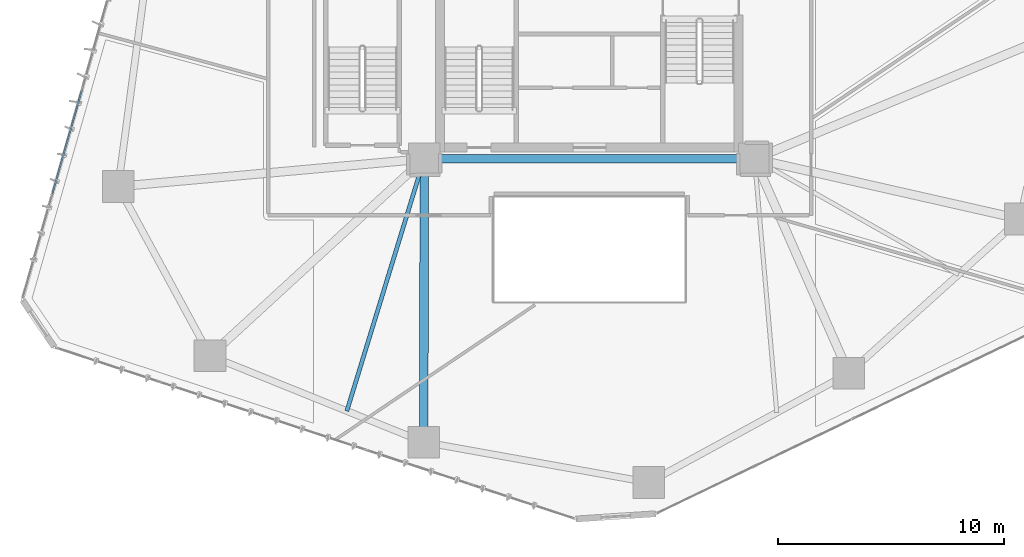
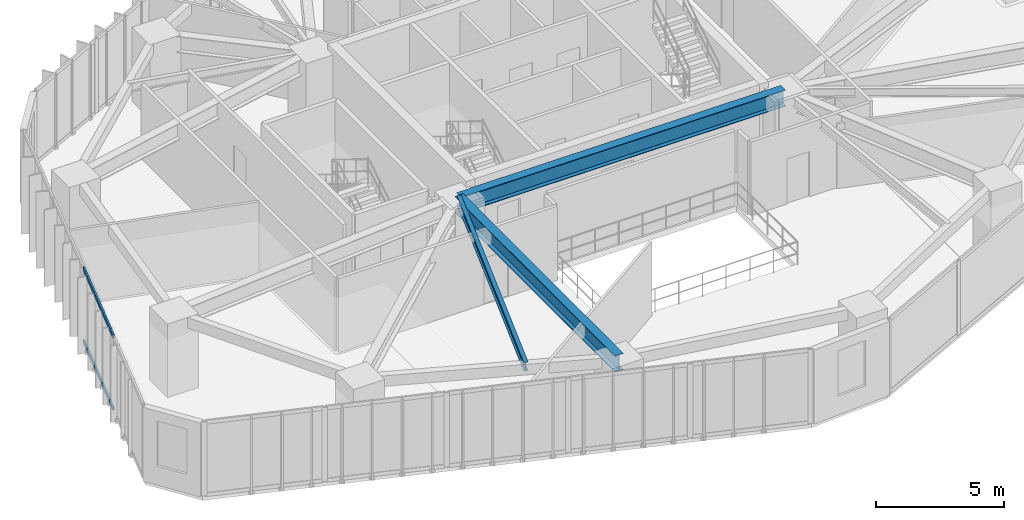
# One storey, part 5 of 23: 3 beams, 2 members, 1 element without a shape of its own.
"""IFC4 building model written with IfcOpenShell, lengths in metres."""

from ifc_helpers import new_model, si_unit, direction, frame, origin, origin_2d, place, context, subcontext, project, spatial, hollow_rectangle, i_section, extrude, source, transform, mapped, material, layer, layer_set, material_profile, profile_set, type_object, type_shapes, element, aggregate, save


model = new_model("IFC4")

# Units and contexts
model_context = context("Model", 3, precision=1e-05, world=origin(), true_north=direction((0.0, 1.0)))
body_context = subcontext(model_context, "Body", "Model", "MODEL_VIEW")
ifc_project = project(units=[si_unit("LENGTHUNIT", "METRE"), si_unit("AREAUNIT", "SQUARE_METRE"), si_unit("VOLUMEUNIT", "CUBIC_METRE"), si_unit("PLANEANGLEUNIT", "RADIAN"), si_unit("MASSUNIT", "GRAM", prefix="KILO")], contexts=[model_context])

# Site, building, storey
site_placement = place(None, origin())
site = spatial("IfcSite", under=ifc_project, at=site_placement, CompositionType="ELEMENT")
building_placement = place(site_placement, origin())
building = spatial("IfcBuilding", under=site, at=building_placement, Name="Talar Marvaseh", CompositionType="ELEMENT")
storey_placement = place(building_placement, frame((0.0, 0.0, 35.39990234375)))
storey = spatial("IfcBuildingStorey", under=building, at=storey_placement, Name="L08", CompositionType="ELEMENT", Elevation=35.39990234375)

# Beams
ifc_material_1 = material(Name="Steel S355", Category="steel")
ifc_material_profile_1 = material_profile(ifc_material_1, i_section(OverallWidth=0.381103515625, OverallDepth=0.77294921875, WebThickness=0.0166015625, FlangeThickness=0.027099609375, at=origin_2d()), Name="W760x257")
ifc_profile_set_1 = profile_set([ifc_material_profile_1], Name="Steel S355")
beam_type_1 = type_object("IfcBeamType", Name="Zone 1 Radial Floor Girder W760x257", PredefinedType="BEAM", material=ifc_profile_set_1)
beam_1_placement = place(storey_placement, frame((18.699951171875, 25.5, 3.133544921875), z_axis=(1.0, 0.0, 0.0), x_axis=(0.0, 1.0, 0.0)))
element("IfcBeam", 1, at=beam_1_placement, inside=storey, type_object=beam_type_1, Name="L08 Zone 1 Radial Floor Girder W760x257", PredefinedType="BEAM", context=body_context, shape_type="SweptSolid", body=[
    extrude(i_section(OverallWidth=0.381103515625, OverallDepth=0.77294921875, WebThickness=0.0166015625, FlangeThickness=0.027099609375, at=origin_2d()), origin(), (0.0, 0.0, 1.0), 14.60009765625),
])
beam_2_placement = place(storey_placement, frame((18.68310546875, 12.97900390625, 3.133544921875), z_axis=(0.001345395187, 0.999999094955, 0.0), x_axis=(-0.999999094955, 0.001345395187, 0.0)))
element("IfcBeam", 2, at=beam_2_placement, inside=storey, type_object=beam_type_1, Name="L08 Zone 1 Radial Floor Girder W760x257", PredefinedType="BEAM", context=body_context, shape_type="SweptSolid", body=[
    extrude(i_section(OverallWidth=0.381103515625, OverallDepth=0.77294921875, WebThickness=0.0166015625, FlangeThickness=0.027099609375, at=origin_2d()), origin(), (0.0, 0.0, 1.0), 12.52099609375),
])
ifc_material_profile_2 = material_profile(ifc_material_1, i_section(OverallWidth=0.179931640625, OverallDepth=0.4130859375, WebThickness=0.009765625, FlangeThickness=0.01611328125, at=origin_2d()), Name="W410x75")
ifc_profile_set_2 = profile_set([ifc_material_profile_2], Name="Steel S355")
beam_type_2 = type_object("IfcBeamType", Name="Zone 1 Secondary Floor Joist W410x75", PredefinedType="JOIST", material=ifc_profile_set_2)
beam_3_placement = place(storey_placement, frame((15.280517578125, 14.35302734375, 3.3134765625), z_axis=(0.293270595159, 0.956029475495, 0.0), x_axis=(-0.956029475495, 0.293270595159, 0.0)))
element("IfcBeam", 3, at=beam_3_placement, inside=storey, type_object=beam_type_2, Name="L08 Zone 1 Secondary Floor Joist W410x75", PredefinedType="JOIST", context=body_context, shape_type="SweptSolid", body=[
    extrude(i_section(OverallWidth=0.179931640625, OverallDepth=0.4130859375, WebThickness=0.009765625, FlangeThickness=0.01611328125, at=origin_2d()), origin(), (0.0, 0.0, 1.0), 11.65966796875),
])

# Curtain wall, members
ifc_material_2 = material(Name="Architectural Aluminium", Category="aluminium")
ifc_layer = layer(ifc_material_2, 0.219970703125)
ifc_layer_set = layer_set([ifc_layer], Name="Architectural Aluminium")
curtain_wall_type = type_object("IfcCurtainWallType", Name="Unitised Low-E Museum Curtain Wall Z1", PredefinedType="NOTDEFINED", material=ifc_layer_set)
curtain_wall_placement = place(storey_placement, origin())
curtain_wall = element("IfcCurtainWall", 4, at=curtain_wall_placement, inside=storey, type_object=curtain_wall_type, Name="L08 Unitised Low-E Museum Curtain Wall Z1", PredefinedType="NOTDEFINED")
ifc_material_profile_3 = material_profile(ifc_material_2, hollow_rectangle(XDim=0.074951171875, YDim=0.179931640625, WallThickness=0.0048828125, at=origin_2d()), Name="RHS180x75x5")
ifc_profile_set_3 = profile_set([ifc_material_profile_3], Name="Architectural Aluminium")
member_type = type_object("IfcMemberType", Name="Unitised Curtain Wall Transom RHS180x75x5", PredefinedType="USERDEFINED", material=ifc_profile_set_3)
shared_shape = source(origin(), body_context, "Body", "SweptSolid", [
    extrude(hollow_rectangle(XDim=0.074951171875, YDim=0.179931640625, WallThickness=0.0048828125, at=origin_2d()), origin(), (0.0, 0.0, 1.0), 4.736572265625),
])
type_shapes(member_type, [shared_shape])
member_1_placement = place(storey_placement, frame((2.267578125, 23.9619140625, 0.03759765625), z_axis=(0.273999456782, 0.961729846518, 0.0), x_axis=(-0.961729846518, 0.273999456782, 0.0)))
member_1 = element("IfcMember", 5, at=member_1_placement, type_object=member_type, Name="CW-Z1 transom 2.1", ObjectType="TRANSOM", PredefinedType="USERDEFINED", context=body_context, shape_type="MappedRepresentation", body=[
    mapped(shared_shape, transform((0.0, 0.0, 0.0), x_axis=(1.0, 0.0, 0.0), y_axis=(0.0, 1.0, 0.0), z_axis=(0.0, 0.0, 1.0), scale=1.0)),
])
member_2_placement = place(storey_placement, frame((2.267578125, 23.9619140625, 3.482666015625), z_axis=(0.273999456782, 0.961729846518, 0.0), x_axis=(-0.961729846518, 0.273999456782, 0.0)))
member_2 = element("IfcMember", 6, at=member_2_placement, type_object=member_type, Name="CW-Z1 transom 2.2", ObjectType="TRANSOM", PredefinedType="USERDEFINED", context=body_context, shape_type="MappedRepresentation", body=[
    mapped(shared_shape, transform((0.0, 0.0, 0.0), x_axis=(1.0, 0.0, 0.0), y_axis=(0.0, 1.0, 0.0), z_axis=(0.0, 0.0, 1.0), scale=1.0)),
])
aggregate(curtain_wall, [member_1, member_2])

save(model, "model.ifc")
